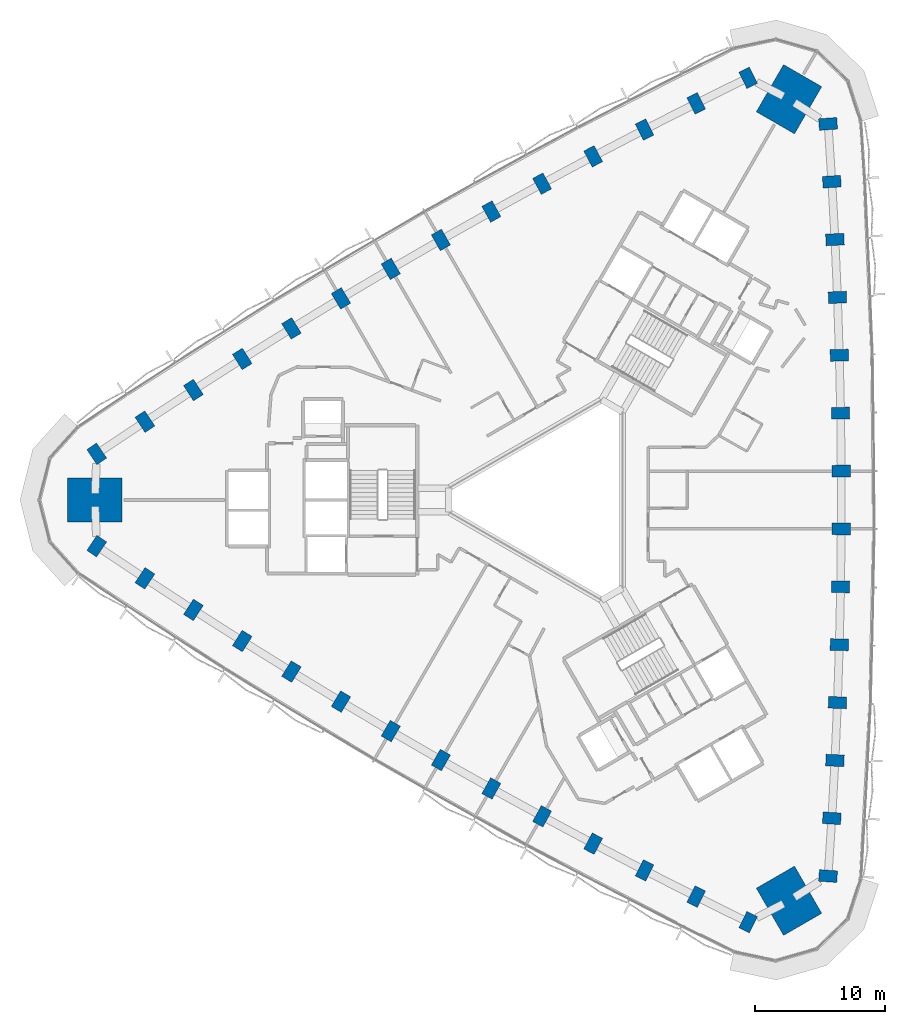
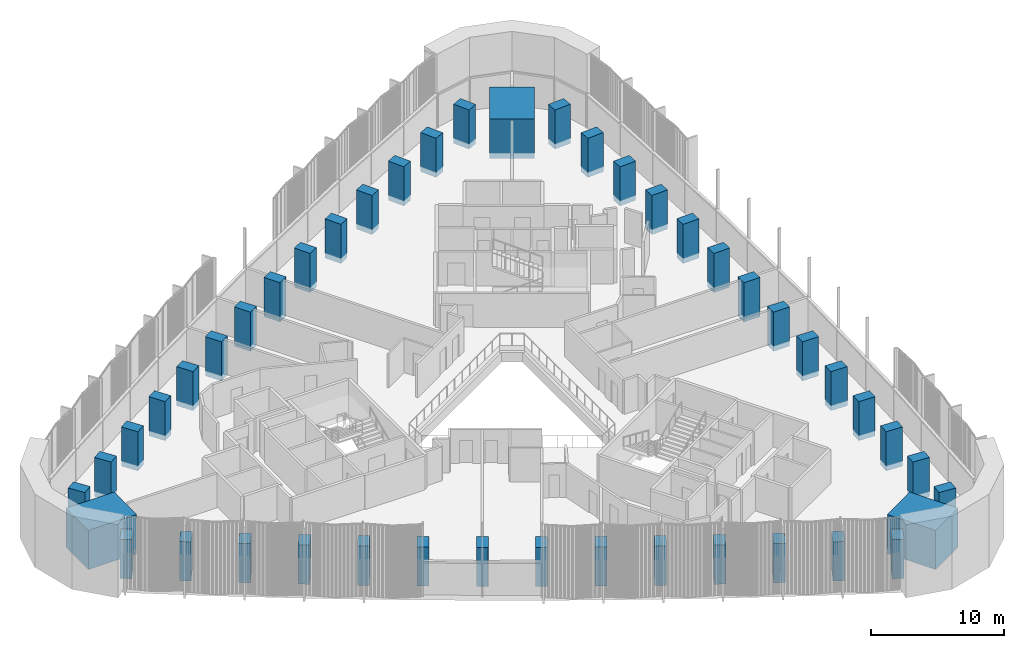
# One storey, part 1 of 16: 45 columns.
"""IFC4 building model written with IfcOpenShell, lengths in metres."""

from ifc_helpers import new_model, si_unit, direction, frame, origin, origin_2d, place, context, subcontext, project, spatial, rectangle, extrude, material, material_profile, profile_set, type_object, element, save


model = new_model("IFC4")

# Units and contexts
model_context = context("Model", 3, precision=1e-05, world=origin(), true_north=direction((0.0, 1.0)))
body_context = subcontext(model_context, "Body", "Model", "MODEL_VIEW")
ifc_project = project(units=[si_unit("LENGTHUNIT", "METRE"), si_unit("AREAUNIT", "SQUARE_METRE"), si_unit("VOLUMEUNIT", "CUBIC_METRE"), si_unit("PLANEANGLEUNIT", "RADIAN"), si_unit("MASSUNIT", "GRAM", prefix="KILO")], contexts=[model_context])

# Site, building, storey
site_placement = place(None, origin())
site = spatial("IfcSite", under=ifc_project, at=site_placement, CompositionType="ELEMENT")
building_placement = place(site_placement, origin())
building = spatial("IfcBuilding", under=site, at=building_placement, Name="Tamra Quay Hotel Tower", CompositionType="ELEMENT")
storey_placement = place(building_placement, frame((0.0, 0.0, 45.800048828125)))
storey = spatial("IfcBuildingStorey", under=building, at=storey_placement, Name="L09", CompositionType="ELEMENT", Elevation=45.800048828125)

# Columns
ifc_material = material(Name="Concrete M70", Category="concrete")
ifc_material_profile_1 = material_profile(ifc_material, rectangle(XDim=1.39990234375, YDim=0.89990234375, at=origin_2d()), Name="COLUMN RC 900x1400 Z1")
ifc_profile_set_1 = profile_set([ifc_material_profile_1], Name="Concrete M70")
column_type_1 = type_object("IfcColumnType", Name="COLUMN RC 900x1400 Z1", PredefinedType="COLUMN", material=ifc_profile_set_1)
for number, where, z_axis, x_axis, name in (
    (1, (20.87890625, -29.033935546875, -0.47509765625), (0.0, 0.0, 1.0), (-0.997561736499, 0.069789554182, 0.0), "COL-C1E01-L09"),
    (2, (21.168701171875, -24.572509765625, -0.47509765625), (0.0, 0.0, 1.0), (-0.998214376921, 0.059733221148, 0.0), "COL-C1E02-L09"),
    (3, (21.410400390625, -20.10888671875, -0.47509765625), (0.0, 0.0, 1.0), (-0.998830734492, 0.048344222345, 0.0), "COL-C1E03-L09"),
    (4, (21.60400390625, -15.642578125, -0.47509765625), (0.0, 0.0, 1.0), (-0.999284860458, 0.037812268629, 0.0), "COL-C1E04-L09"),
    (5, (21.7490234375, -11.17431640625, -0.47509765625), (0.0, 0.0, 1.0), (-0.999628128016, 0.02726913418, 0.0), "COL-C1E05-L09"),
    (6, (21.845947265625, -6.70556640625, -0.47509765625), (0.0, 0.0, 1.0), (-0.999874567832, 0.015838200722, 0.0), "COL-C1E06-L09"),
    (7, (21.894287109375, -2.2353515625, -0.47509765625), (0.0, 0.0, 1.0), (-0.999986062833, 0.00527959646, 0.0), "COL-C1E07-L09"),
    (8, (21.894287109375, 2.2353515625, -0.47509765625), (0.0, 0.0, 1.0), (0.999986062833, 0.00527959646, 0.0), "COL-C1E08-L09"),
    (9, (21.845947265625, 6.70556640625, -0.47509765625), (0.0, 0.0, 1.0), (0.999874567832, 0.015838200722, 0.0), "COL-C1E09-L09"),
    (10, (21.7490234375, 11.17431640625, -0.47509765625), (0.0, 0.0, 1.0), (0.999628128016, 0.02726913418, 0.0), "COL-C1E10-L09"),
    (11, (21.60400390625, 15.642578125, -0.47509765625), (0.0, 0.0, 1.0), (0.999284860458, 0.037812268629, 0.0), "COL-C1E11-L09"),
    (12, (21.410400390625, 20.10888671875, -0.47509765625), (0.0, 0.0, 1.0), (0.998830734492, 0.048344222345, 0.0), "COL-C1E12-L09"),
    (13, (21.168701171875, 24.572509765625, -0.47509765625), (0.0, 0.0, 1.0), (0.998214376921, 0.059733221148, 0.0), "COL-C1E13-L09"),
    (14, (20.87890625, 29.033935546875, -0.47509765625), (0.0, 0.0, 1.0), (0.997561736499, 0.069789554182, 0.0), "COL-C1E14-L09"),
    (15, (14.70458984375, 32.5986328125, -0.47509765625), (0.0, 0.0, 1.0), (-0.438341341409, 0.898808582743, 0.0), "COL-C1NW01-L09"),
    (16, (10.69580078125, 30.618896484375, -0.47509765625), (0.0, 0.0, 1.0), (-0.447376701496, 0.89434561941, 0.0), "COL-C1NW02-L09"),
    (17, (6.709716796875, 28.596435546875, -0.47509765625), (0.0, 0.0, 1.0), (-0.457548042569, 0.889184901323, 0.0), "COL-C1NW03-L09"),
    (18, (2.744873046875, 26.53076171875, -0.47509765625), (0.0, 0.0, 1.0), (-0.466896045022, 0.884312209088, 0.0), "COL-C1NW04-L09"),
    (19, (-1.197265625, 24.422607421875, -0.47509765625), (0.0, 0.0, 1.0), (-0.476198301069, 0.879337920289, 0.0), "COL-C1NW05-L09"),
    (20, (-5.11572265625, 22.27197265625, -0.47509765625), (0.0, 0.0, 1.0), (-0.486220999741, 0.873835876702, 0.0), "COL-C1NW06-L09"),
    (21, (-9.011474609375, 20.07861328125, -0.47509765625), (0.0, 0.0, 1.0), (-0.495420766761, 0.868653132074, 0.0), "COL-C1NW07-L09"),
    (22, (-12.883056640625, 17.843505859375, -0.47509765625), (0.0, 0.0, 1.0), (-0.504565296072, 0.863373535614, 0.0), "COL-C1NW08-L09"),
    (23, (-16.72998046875, 15.56640625, -0.47509765625), (0.0, 0.0, 1.0), (-0.513653568092, 0.85799767598, 0.0), "COL-C1NW09-L09"),
    (24, (-20.552001953125, 13.248046875, -0.47509765625), (0.0, 0.0, 1.0), (-0.523429826947, 0.85206878611, 0.0), "COL-C1NW10-L09"),
    (25, (-24.348876953125, 10.88818359375, -0.47509765625), (0.0, 0.0, 1.0), (-0.532388815436, 0.84649994046, 0.0), "COL-C1NW11-L09"),
    (26, (-28.1201171875, 8.487548828125, -0.47509765625), (0.0, 0.0, 1.0), (-0.541282691923, 0.840840678978, 0.0), "COL-C1NW12-L09"),
    (27, (-31.86474609375, 6.04638671875, -0.47509765625), (0.0, 0.0, 1.0), (-0.550837675425, 0.834612398262, 0.0), "COL-C1NW13-L09"),
    (28, (-35.58349609375, 3.564697265625, -0.47509765625), (0.0, 0.0, 1.0), (-0.55922039509, 0.82901902856, 0.0), "COL-C1NW14-L09"),
    (29, (-35.58349609375, -3.564697265625, -0.47509765625), (0.0, 0.0, 1.0), (0.55922039509, 0.82901902856, 0.0), "COL-C1SW01-L09"),
    (30, (-31.86474609375, -6.04638671875, -0.47509765625), (0.0, 0.0, 1.0), (0.550837675425, 0.834612398262, 0.0), "COL-C1SW02-L09"),
    (31, (-28.1201171875, -8.487548828125, -0.47509765625), (0.0, 0.0, 1.0), (0.541282691923, 0.840840678978, 0.0), "COL-C1SW03-L09"),
    (32, (-24.348876953125, -10.88818359375, -0.47509765625), (0.0, 0.0, 1.0), (0.532388815436, 0.84649994046, 0.0), "COL-C1SW04-L09"),
    (33, (-20.552001953125, -13.248046875, -0.47509765625), (0.0, 0.0, 1.0), (0.523429826947, 0.85206878611, 0.0), "COL-C1SW05-L09"),
    (34, (-16.72998046875, -15.56640625, -0.47509765625), (0.0, 0.0, 1.0), (0.513653568092, 0.85799767598, 0.0), "COL-C1SW06-L09"),
    (35, (-12.883056640625, -17.843505859375, -0.47509765625), (0.0, 0.0, 1.0), (0.504565296072, 0.863373535614, 0.0), "COL-C1SW07-L09"),
    (36, (-9.011474609375, -20.07861328125, -0.47509765625), (0.0, 0.0, 1.0), (0.495420766761, 0.868653132074, 0.0), "COL-C1SW08-L09"),
    (37, (-5.11572265625, -22.27197265625, -0.47509765625), (0.0, 0.0, 1.0), (0.486220999741, 0.873835876702, 0.0), "COL-C1SW09-L09"),
    (38, (-1.197265625, -24.422607421875, -0.47509765625), (0.0, 0.0, 1.0), (0.476198301069, 0.879337920289, 0.0), "COL-C1SW10-L09"),
    (39, (2.744873046875, -26.53076171875, -0.47509765625), (0.0, 0.0, 1.0), (0.466896045022, 0.884312209088, 0.0), "COL-C1SW11-L09"),
    (40, (6.709716796875, -28.596435546875, -0.47509765625), (0.0, 0.0, 1.0), (0.457548042569, 0.889184901323, 0.0), "COL-C1SW12-L09"),
    (41, (10.69580078125, -30.618896484375, -0.47509765625), (0.0, 0.0, 1.0), (0.447376701496, 0.89434561941, 0.0), "COL-C1SW13-L09"),
    (42, (14.70458984375, -32.5986328125, -0.47509765625), (0.0, 0.0, 1.0), (0.438341341409, 0.898808582743, 0.0), "COL-C1SW14-L09"),
):
    element("IfcColumn", number, at=place(storey_placement, frame(where, z_axis=z_axis, x_axis=x_axis)), inside=storey, type_object=column_type_1, Name=name, PredefinedType="COLUMN", context=body_context, shape_type="SweptSolid", body=[
        extrude(rectangle(XDim=1.39990234375, YDim=0.89990234375, at=origin_2d()), origin(), (0.0, 0.0, 1.0), 3.60009765625),
    ])
ifc_material_profile_2 = material_profile(ifc_material, rectangle(XDim=4.199951171875, YDim=3.39990234375, at=origin_2d()), Name="MEGA COLUMN RC 3400x4200 Z1")
ifc_profile_set_2 = profile_set([ifc_material_profile_2], Name="Concrete M70")
column_type_2 = type_object("IfcColumnType", Name="MEGA COLUMN RC 3400x4200 Z1", PredefinedType="COLUMN", material=ifc_profile_set_2)
for number, where, z_axis, x_axis, name in (
    (43, (17.864501953125, 30.942138671875, -0.47509765625), (0.0, 0.0, 1.0), (0.5, 0.866025403784, 0.0), "COL-M1NE-L09"),
    (44, (-35.72900390625, 0.0, -0.47509765625), (0.0, 0.0, 1.0), (1.0, 0.0, 0.0), "COL-M1W-L09"),
    (45, (17.864501953125, -30.942138671875, -0.47509765625), (0.0, 0.0, 1.0), (-0.5, 0.866025403784, 0.0), "COL-M1SE-L09"),
):
    element("IfcColumn", number, at=place(storey_placement, frame(where, z_axis=z_axis, x_axis=x_axis)), inside=storey, type_object=column_type_2, Name=name, PredefinedType="COLUMN", context=body_context, shape_type="SweptSolid", body=[
        extrude(rectangle(XDim=4.199951171875, YDim=3.39990234375, at=origin_2d()), origin(), (0.0, 0.0, 1.0), 3.60009765625),
    ])

save(model, "model.ifc")
